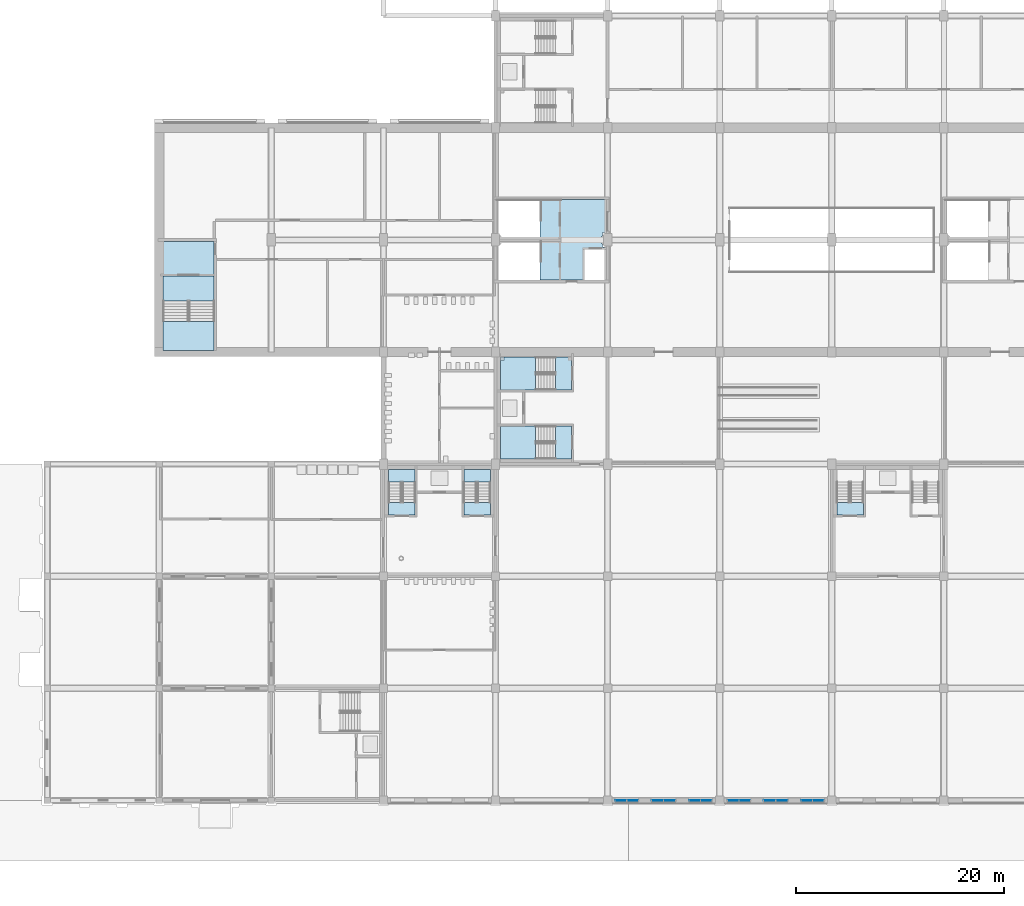
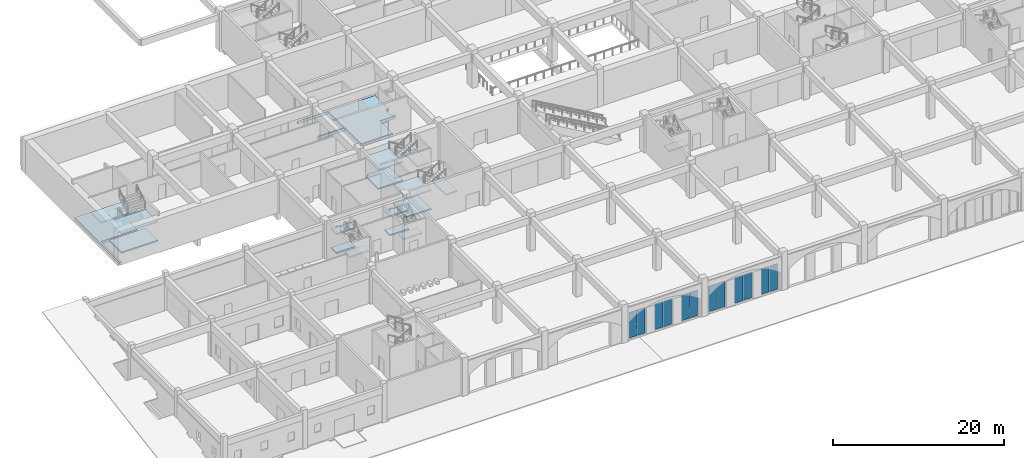
# One storey, part 21 of 101: 18 slabs, 12 plates, 12 elements without a shape of their own.
"""IFC4 building model written with IfcOpenShell, lengths in metres."""

import ifcopenshell
import ifcopenshell.guid

model = None  # the IFC model being written
_history = None  # IfcOwnerHistory: only IFC2X3 demands one
_inside = {}  # id of a spatial element -> (the spatial element, [elements in it])
_under = {}  # id of a project, library or spatial element -> (it, [spatial elements below it])
_declared = {}  # id of a project -> (the project, [libraries it declares])
_typed = {}  # id of a type object -> (the type object, [elements of that type])
_made_of = {}  # id of a material, layer set ... -> (it, [elements and type objects made of it])


def new_model(schema):
    """Start an empty IFC model of exactly this schema.

    Asked for "IFC4X3", IfcOpenShell would pick the latest addendum, in which some entities
    have other attributes; the version numbers below select the first issue.
    IFC2X3 requires an IfcOwnerHistory on every rooted entity: one is made here for all.
    """
    global model, _history
    if schema == "IFC4X3":
        model = ifcopenshell.file(schema_version=(4, 3, 0, 0))
    else:
        model = ifcopenshell.file(schema=schema)
    _inside.clear()
    _under.clear()
    _declared.clear()
    _typed.clear()
    _made_of.clear()
    _history = None
    if model.schema == "IFC2X3":
        org = make("IfcOrganization", Name="unknown")
        user = make(
            "IfcPersonAndOrganization",
            ThePerson=make("IfcPerson", FamilyName="unknown"),
            TheOrganization=org,
        )
        app = make(
            "IfcApplication",
            ApplicationDeveloper=org,
            Version="unknown",
            ApplicationFullName="unknown",
            ApplicationIdentifier="unknown",
        )
        _history = make(
            "IfcOwnerHistory",
            OwningUser=user,
            OwningApplication=app,
            ChangeAction="ADDED",
            CreationDate=0,
        )
    return model


def make(cls, **values):
    """One entity of the class cls with the attributes given. An attribute that is None is left unset."""
    return model.create_entity(
        cls, **{name: value for name, value in values.items() if value is not None}
    )


def rooted(cls, **values):
    """An entity with a GlobalId (a new one), such as an element, a storey or a relation."""
    return make(cls, GlobalId=ifcopenshell.guid.new(), OwnerHistory=_history, **values)


def si_unit(unit_type, name, prefix=None):
    """IfcSIUnit, for example si_unit("LENGTHUNIT", "METRE", prefix="MILLI")."""
    return make("IfcSIUnit", UnitType=unit_type, Prefix=prefix, Name=name)


def assignment(units):
    """IfcUnitAssignment: the units of a project."""
    return None if units is None else make("IfcUnitAssignment", Units=units)


def point(xyz):
    """IfcCartesianPoint."""
    return None if xyz is None else make("IfcCartesianPoint", Coordinates=xyz)


def direction(xyz):
    """IfcDirection."""
    return None if xyz is None else make("IfcDirection", DirectionRatios=xyz)


def frame(location, z_axis=None, x_axis=None):
    """IfcAxis2Placement3D, a coordinate frame: its origin and axes. An axis left out is left unset."""
    return make(
        "IfcAxis2Placement3D",
        Location=point(location),
        Axis=direction(z_axis),
        RefDirection=direction(x_axis),
    )


def frame_2d(location, x_axis=None):
    """IfcAxis2Placement2D, a coordinate frame in the plane: its origin and x axis."""
    return make(
        "IfcAxis2Placement2D", Location=point(location), RefDirection=direction(x_axis)
    )


def origin():
    """The frame at (0, 0, 0) with its axes left unset."""
    return frame((0.0, 0.0, 0.0))


def origin_2d():
    """The frame at (0, 0) in the plane with its x axis left unset."""
    return frame_2d((0.0, 0.0))


def place(relative_to, where):
    """IfcLocalPlacement: puts the frame where relative to a parent placement (None: the world)."""
    return make(
        "IfcLocalPlacement", PlacementRelTo=relative_to, RelativePlacement=where
    )


def context(
    kind, dimensions, precision=None, world=None, true_north=None, identifier=None
):
    """IfcGeometricRepresentationContext, for example the 3D "Model" context."""
    return make(
        "IfcGeometricRepresentationContext",
        ContextIdentifier=identifier,
        ContextType=kind,
        CoordinateSpaceDimension=dimensions,
        Precision=precision,
        WorldCoordinateSystem=world,
        TrueNorth=true_north,
    )


def subcontext(parent, identifier, kind, view, scale=None):
    """IfcGeometricRepresentationSubContext, for example "Body" below "Model"."""
    return make(
        "IfcGeometricRepresentationSubContext",
        ContextIdentifier=identifier,
        ContextType=kind,
        ParentContext=parent,
        TargetScale=scale,
        TargetView=view,
    )


def project(units=None, contexts=None):
    """IfcProject with its units and contexts."""
    return rooted(
        "IfcProject",
        Name="project",
        RepresentationContexts=contexts,
        UnitsInContext=assignment(units),
    )


def spatial(cls, under=None, at=None, **own):
    """A site, building, storey or space (cls), placed at a placement, below another one or the project."""
    s = rooted(cls, ObjectPlacement=at, **own)
    if under is not None:
        _under.setdefault(under.id(), (under, []))[1].append(s)
    return s


def polyline(points):
    """IfcPolyline through the points."""
    return make("IfcPolyline", Points=[point(p) for p in points])


def profile(cls, at=None, kind="AREA", **sizes):
    """A parametric profile (cls). Its sizes go by their IFC names, for example OverallWidth=200.0."""
    return make(cls, ProfileType=kind, Position=at, **sizes)


def rectangle(**sizes):
    """IfcRectangleProfileDef."""
    return profile("IfcRectangleProfileDef", **sizes)


def outline(outer, holes=None, kind="AREA"):
    """IfcArbitraryClosedProfileDef: a profile drawn as a closed curve; with holes, ...WithVoids."""
    if holes is None:
        return make("IfcArbitraryClosedProfileDef", ProfileType=kind, OuterCurve=outer)
    return make(
        "IfcArbitraryProfileDefWithVoids",
        ProfileType=kind,
        OuterCurve=outer,
        InnerCurves=holes,
    )


def extrude(swept, where, along, depth):
    """IfcExtrudedAreaSolid: the profile swept, set in the frame where, extruded along a direction by depth."""
    return make(
        "IfcExtrudedAreaSolid",
        SweptArea=swept,
        Position=where,
        ExtrudedDirection=direction(along),
        Depth=depth,
    )


def shape(context_of_items, identifier, shape_type, items):
    """IfcShapeRepresentation: the items that make up one representation, for example the "Body"."""
    return make(
        "IfcShapeRepresentation",
        ContextOfItems=context_of_items,
        RepresentationIdentifier=identifier,
        RepresentationType=shape_type,
        Items=items,
    )


def material(Name=None, Category=None):
    """IfcMaterial."""
    return make("IfcMaterial", Name=Name, Category=Category)


def layer(
    of_material, thickness, ventilated=None, Name=None, Category=None, Priority=None
):
    """IfcMaterialLayer: one layer of a wall or slab, of a material (None: an air gap)."""
    return make(
        "IfcMaterialLayer",
        Material=of_material,
        LayerThickness=thickness,
        IsVentilated=ventilated,
        Name=Name,
        Category=Category,
        Priority=Priority,
    )


def layer_set(layers, Name=None):
    """IfcMaterialLayerSet."""
    return make("IfcMaterialLayerSet", MaterialLayers=layers, LayerSetName=Name)


def made_of(thing, what):
    """Note that an element or type object is made of a material, layer set ...; save() writes the relation."""
    if what is not None:
        _made_of.setdefault(what.id(), (what, []))[1].append(thing)
    return thing


def type_object(cls, material=None, **own):
    """A type object (cls), such as IfcWallType, which elements share."""
    return made_of(rooted(cls, **own), material)


def element(
    cls,
    number,
    at=None,
    inside=None,
    cuts=None,
    type_object=None,
    material=None,
    context=None,
    identifier="Body",
    shape_type=None,
    held_by="IfcProductDefinitionShape",
    body=None,
    shapes=None,
    **own,
):
    """One element of the class cls, such as IfcWall. Its Tag is "e" and its number.

    at: its placement. inside: the storey or other place that contains it. cuts: it is an
    opening in that element (IfcRelVoidsElement). A single representation is given by context,
    identifier, shape_type and body (its items); several are given by shapes. held_by: the class
    of the entity that holds the representations. save() writes the other relations.
    """
    e = rooted(cls, Tag="e%d" % number, ObjectPlacement=at, **own)
    if body is not None:
        shapes = [shape(context, identifier, shape_type, body)]
    if shapes is not None:
        e.Representation = make(held_by, Representations=shapes)
    if inside is not None:
        _inside.setdefault(inside.id(), (inside, []))[1].append(e)
    if cuts is not None:
        rooted(
            "IfcRelVoidsElement", RelatingBuildingElement=cuts, RelatedOpeningElement=e
        )
    if type_object is not None:
        _typed.setdefault(type_object.id(), (type_object, []))[1].append(e)
    return made_of(e, material)


def aggregate(whole, parts):
    """IfcRelAggregates: a whole, such as a stair, and the parts it consists of."""
    return rooted("IfcRelAggregates", RelatingObject=whole, RelatedObjects=parts)


def save(model, path):
    """Write the relations noted so far, then the file.

    IfcRelAggregates (storeys below a building ...), IfcRelContainedInSpatialStructure (elements
    in a storey), IfcRelDefinesByType, IfcRelAssociatesMaterial and IfcRelDeclares: one each for
    every whole, place, type object, material and project.
    """
    for whole, parts in _under.values():
        aggregate(whole, parts)
    for where, things in _inside.values():
        rooted(
            "IfcRelContainedInSpatialStructure",
            RelatedElements=things,
            RelatingStructure=where,
        )
    for kind, things in _typed.values():
        rooted("IfcRelDefinesByType", RelatedObjects=things, RelatingType=kind)
    for what, things in _made_of.values():
        rooted("IfcRelAssociatesMaterial", RelatedObjects=things, RelatingMaterial=what)
    for by, libraries in _declared.values():
        rooted("IfcRelDeclares", RelatingContext=by, RelatedDefinitions=libraries)
    model.write(path)


model = new_model("IFC4")

# Units and contexts
model_context = context("Model", 3, precision=1e-05, world=origin(), true_north=direction((0.0, 1.0)))
body_context = subcontext(model_context, "Body", "Model", "MODEL_VIEW")
ifc_project = project(units=[si_unit("LENGTHUNIT", "METRE"), si_unit("AREAUNIT", "SQUARE_METRE"), si_unit("VOLUMEUNIT", "CUBIC_METRE"), si_unit("PLANEANGLEUNIT", "RADIAN"), si_unit("MASSUNIT", "GRAM", prefix="KILO")], contexts=[model_context])

# Site, building, storey
site_placement = place(None, origin())
site = spatial("IfcSite", under=ifc_project, at=site_placement, CompositionType="ELEMENT")
building_placement = place(site_placement, origin())
building = spatial("IfcBuilding", under=site, at=building_placement, Name="Magnolia Steps Interchange", CompositionType="ELEMENT")
storey_placement = place(building_placement, frame((0.0, 0.0, -5.39990234375)))
storey = spatial("IfcBuildingStorey", under=building, at=storey_placement, Name="B1", CompositionType="ELEMENT", Elevation=-5.39990234375)

# Slabs
ifc_material_1 = material(Name="Concrete C35", Category="concrete")
ifc_layer_1 = layer(ifc_material_1, 0.39990234375)
ifc_layer_set_1 = layer_set([ifc_layer_1], Name="Core floor slab 400")
slab_type_1 = type_object("IfcSlabType", Name="Core floor slab 400", PredefinedType="FLOOR", material=ifc_layer_set_1)
slab_1_placement = place(storey_placement, frame((0.0, 0.0, -0.400146484375)))
element("IfcSlab", 1, at=slab_1_placement, inside=storey, type_object=slab_type_1, Name="B1 core floor PC1", PredefinedType="FLOOR", context=body_context, shape_type="SweptSolid", body=[
    extrude(outline(polyline([(57.47509765625, 63.875), (53.837646484375, 63.875), (53.846923828125, 63.936279296875), (53.85009765625, 64.0), (53.846923828125, 64.063720703125), (53.84521484375, 64.074951171875), (57.47509765625, 64.074951171875), (57.47509765625, 67.824951171875), (53.324951171875, 67.824951171875), (53.324951171875, 67.875), (63.875, 67.875), (63.875, 64.699951171875), (63.5, 64.699951171875), (63.5, 64.4150390625), (63.49755859375, 64.412353515625), (63.45947265625, 64.361083984375), (63.4267578125, 64.306396484375), (63.3994140625, 64.248779296875), (63.3779296875, 64.188720703125), (63.362548828125, 64.126708984375), (63.35302734375, 64.063720703125), (63.35009765625, 64.0), (63.35302734375, 63.936279296875), (63.362548828125, 63.873291015625), (63.3779296875, 63.811279296875), (63.3994140625, 63.751220703125), (63.4267578125, 63.693603515625), (63.45947265625, 63.638916015625), (63.49755859375, 63.587646484375), (63.5, 63.5849609375), (63.5, 63.300048828125), (63.875, 63.300048828125), (63.875, 63.074951171875), (61.77490234375, 63.074951171875), (61.77490234375, 60.125), (57.47509765625, 60.125), (57.47509765625, 63.875)])), origin(), (0.0, 0.0, 1.0), 0.400146484375),
])
slab_2_placement = place(storey_placement, frame((0.0, 0.0, -0.400146484375)))
element("IfcSlab", 2, at=slab_2_placement, inside=storey, type_object=slab_type_1, Name="B1 core floor BE-W", PredefinedType="FLOOR", context=body_context, shape_type="SweptSolid", body=[
    extrude(outline(polyline([(20.925048828125, 63.875), (26.074951171875, 63.875), (26.074951171875, 58.074951171875), (21.175048828125, 58.074951171875), (21.175048828125, 53.324951171875), (20.925048828125, 53.324951171875), (20.925048828125, 63.875)])), origin(), (0.0, 0.0, 1.0), 0.400146484375),
])

# Stair, slabs
ifc_material_2 = material(Name="Concrete C40", Category="concrete")
stair_type_1 = type_object("IfcStairType", Name="Exit stair 1500", PredefinedType="HALF_TURN_STAIR", material=ifc_material_2)
stair_1_placement = place(storey_placement, origin())
stair_1 = element("IfcStair", 3, at=stair_1_placement, inside=storey, type_object=stair_type_1, Name="B1 Stair 5", PredefinedType="HALF_TURN_STAIR")
ifc_material_3 = material(Name="Concrete C40", Category="concrete")
ifc_layer_2 = layer(ifc_material_3, 0.199951171875)
ifc_layer_set_2 = layer_set([ifc_layer_2], Name="Exit stair landing 200")
slab_type_2 = type_object("IfcSlabType", Name="Exit stair landing 200", PredefinedType="LANDING", material=ifc_layer_set_2)
slab_3_placement = place(storey_placement, frame((0.0, 0.0, 1.14990234375)))
slab_3 = element("IfcSlab", 4, at=slab_3_placement, type_object=slab_type_2, Name="Stair 5 landing 1", PredefinedType="LANDING", context=body_context, shape_type="SweptSolid", body=[
    extrude(outline(polyline([(57.0400390625, 46.050048828125), (53.699951171875, 46.050048828125), (53.699951171875, 42.89990234375), (57.0400390625, 42.89990234375), (57.0400390625, 46.050048828125)])), origin(), (0.0, 0.0, 1.0), 0.199951171875),
])
slab_4_placement = place(storey_placement, frame((0.0, 0.0, 2.5)))
slab_4 = element("IfcSlab", 5, at=slab_4_placement, type_object=slab_type_2, Name="Stair 5 landing 2", PredefinedType="LANDING", context=body_context, shape_type="SweptSolid", body=[
    extrude(outline(polyline([(60.5, 46.050048828125), (59.0, 46.050048828125), (59.0, 42.89990234375), (60.5, 42.89990234375), (60.5, 46.050048828125)])), origin(), (0.0, 0.0, 1.0), 0.199951171875),
])
slab_5_placement = place(storey_placement, frame((0.0, 0.0, 3.849853515625)))
slab_5 = element("IfcSlab", 6, at=slab_5_placement, type_object=slab_type_2, Name="Stair 5 landing 3", PredefinedType="LANDING", context=body_context, shape_type="SweptSolid", body=[
    extrude(outline(polyline([(57.0400390625, 46.050048828125), (53.699951171875, 46.050048828125), (53.699951171875, 42.89990234375), (57.0400390625, 42.89990234375), (57.0400390625, 46.050048828125)])), origin(), (0.0, 0.0, 1.0), 0.199951171875),
])
aggregate(stair_1, [slab_3, slab_4, slab_5])

stair_2_placement = place(storey_placement, origin())
stair_2 = element("IfcStair", 7, at=stair_2_placement, inside=storey, type_object=stair_type_1, Name="B1 Stair 6", PredefinedType="HALF_TURN_STAIR")
slab_6_placement = place(storey_placement, frame((0.0, 0.0, 1.14990234375)))
slab_6 = element("IfcSlab", 8, at=slab_6_placement, type_object=slab_type_2, Name="Stair 6 landing 1", PredefinedType="LANDING", context=body_context, shape_type="SweptSolid", body=[
    extrude(outline(polyline([(57.0400390625, 52.699951171875), (57.0400390625, 49.550048828125), (53.699951171875, 49.550048828125), (53.699951171875, 52.39990234375), (54.0, 52.39990234375), (54.0, 52.699951171875), (57.0400390625, 52.699951171875)])), origin(), (0.0, 0.0, 1.0), 0.199951171875),
])
slab_7_placement = place(storey_placement, frame((0.0, 0.0, 2.5)))
slab_7 = element("IfcSlab", 9, at=slab_7_placement, type_object=slab_type_2, Name="Stair 6 landing 2", PredefinedType="LANDING", context=body_context, shape_type="SweptSolid", body=[
    extrude(outline(polyline([(60.5, 52.699951171875), (59.0, 52.699951171875), (59.0, 49.550048828125), (60.5, 49.550048828125), (60.5, 52.699951171875)])), origin(), (0.0, 0.0, 1.0), 0.199951171875),
])
slab_8_placement = place(storey_placement, frame((0.0, 0.0, 3.849853515625)))
slab_8 = element("IfcSlab", 10, at=slab_8_placement, type_object=slab_type_2, Name="Stair 6 landing 3", PredefinedType="LANDING", context=body_context, shape_type="SweptSolid", body=[
    extrude(outline(polyline([(57.0400390625, 52.699951171875), (53.699951171875, 52.699951171875), (53.699951171875, 49.550048828125), (57.0400390625, 49.550048828125), (57.0400390625, 52.699951171875)])), origin(), (0.0, 0.0, 1.0), 0.199951171875),
])
aggregate(stair_2, [slab_6, slab_7, slab_8])

ifc_material_4 = material(Name="Concrete C40", Category="concrete")
stair_type_2 = type_object("IfcStairType", Name="Exit stair 2400", PredefinedType="HALF_TURN_STAIR", material=ifc_material_4)
stair_3_placement = place(storey_placement, origin())
stair_3 = element("IfcStair", 11, at=stair_3_placement, inside=storey, type_object=stair_type_2, Name="B1 Stair 15", PredefinedType="HALF_TURN_STAIR")
slab_9_placement = place(storey_placement, frame((0.0, 0.0, 1.14990234375)))
slab_9 = element("IfcSlab", 12, at=slab_9_placement, type_object=slab_type_2, Name="Stair 15 landing 1", PredefinedType="LANDING", context=body_context, shape_type="SweptSolid", body=[
    extrude(outline(polyline([(21.175048828125, 56.1650390625), (21.175048828125, 53.324951171875), (26.074951171875, 53.324951171875), (26.074951171875, 56.1650390625), (21.175048828125, 56.1650390625)])), origin(), (0.0, 0.0, 1.0), 0.199951171875),
])
slab_10_placement = place(storey_placement, frame((0.0, 0.0, 2.5)))
slab_10 = element("IfcSlab", 13, at=slab_10_placement, type_object=slab_type_2, Name="Stair 15 landing 2", PredefinedType="LANDING", context=body_context, shape_type="SweptSolid", body=[
    extrude(outline(polyline([(21.175048828125, 60.52490234375), (21.175048828125, 58.125), (26.074951171875, 58.125), (26.074951171875, 60.52490234375), (21.175048828125, 60.52490234375)])), origin(), (0.0, 0.0, 1.0), 0.199951171875),
])
slab_11_placement = place(storey_placement, frame((0.0, 0.0, 3.849853515625)))
slab_11 = element("IfcSlab", 14, at=slab_11_placement, type_object=slab_type_2, Name="Stair 15 landing 3", PredefinedType="LANDING", context=body_context, shape_type="SweptSolid", body=[
    extrude(outline(polyline([(21.175048828125, 56.1650390625), (21.175048828125, 53.324951171875), (26.074951171875, 53.324951171875), (26.074951171875, 56.1650390625), (21.175048828125, 56.1650390625)])), origin(), (0.0, 0.0, 1.0), 0.199951171875),
])
aggregate(stair_3, [slab_9, slab_10, slab_11])

ifc_material_5 = material(Name="Concrete C40", Category="concrete")
stair_type_3 = type_object("IfcStairType", Name="Exit stair 1200", PredefinedType="HALF_TURN_STAIR", material=ifc_material_5)
stair_4_placement = place(storey_placement, origin())
stair_4 = element("IfcStair", 15, at=stair_4_placement, inside=storey, type_object=stair_type_3, Name="B1 Stair 17", PredefinedType="HALF_TURN_STAIR")
slab_12_placement = place(storey_placement, frame((0.0, 0.0, 1.14990234375)))
slab_12 = element("IfcSlab", 16, at=slab_12_placement, type_object=slab_type_2, Name="Stair 17 landing 1", PredefinedType="LANDING", context=body_context, shape_type="SweptSolid", body=[
    extrude(outline(polyline([(45.449951171875, 40.659912109375), (45.449951171875, 41.89990234375), (42.89990234375, 41.89990234375), (42.89990234375, 40.659912109375), (45.449951171875, 40.659912109375)])), origin(), (0.0, 0.0, 1.0), 0.199951171875),
])
slab_13_placement = place(storey_placement, frame((0.0, 0.0, 2.5)))
slab_13 = element("IfcSlab", 17, at=slab_13_placement, type_object=slab_type_2, Name="Stair 17 landing 2", PredefinedType="LANDING", context=body_context, shape_type="SweptSolid", body=[
    extrude(outline(polyline([(45.449951171875, 37.5), (45.449951171875, 38.699951171875), (42.89990234375, 38.699951171875), (42.89990234375, 37.5), (45.449951171875, 37.5)])), origin(), (0.0, 0.0, 1.0), 0.199951171875),
])
slab_14_placement = place(storey_placement, frame((0.0, 0.0, 3.849853515625)))
slab_14 = element("IfcSlab", 18, at=slab_14_placement, type_object=slab_type_2, Name="Stair 17 landing 3", PredefinedType="LANDING", context=body_context, shape_type="SweptSolid", body=[
    extrude(outline(polyline([(45.449951171875, 40.659912109375), (45.449951171875, 41.89990234375), (42.89990234375, 41.89990234375), (42.89990234375, 40.659912109375), (45.449951171875, 40.659912109375)])), origin(), (0.0, 0.0, 1.0), 0.199951171875),
])
aggregate(stair_4, [slab_12, slab_13, slab_14])

stair_5_placement = place(storey_placement, origin())
stair_5 = element("IfcStair", 19, at=stair_5_placement, inside=storey, type_object=stair_type_3, Name="B1 Stair 18", PredefinedType="HALF_TURN_STAIR")
slab_15_placement = place(storey_placement, frame((0.0, 0.0, 1.14990234375)))
slab_15 = element("IfcSlab", 20, at=slab_15_placement, type_object=slab_type_2, Name="Stair 18 landing 1", PredefinedType="LANDING", context=body_context, shape_type="SweptSolid", body=[
    extrude(outline(polyline([(52.699951171875, 40.659912109375), (52.699951171875, 41.89990234375), (50.14990234375, 41.89990234375), (50.14990234375, 40.659912109375), (52.699951171875, 40.659912109375)])), origin(), (0.0, 0.0, 1.0), 0.199951171875),
])
slab_16_placement = place(storey_placement, frame((0.0, 0.0, 2.5)))
slab_16 = element("IfcSlab", 21, at=slab_16_placement, type_object=slab_type_2, Name="Stair 18 landing 2", PredefinedType="LANDING", context=body_context, shape_type="SweptSolid", body=[
    extrude(outline(polyline([(52.699951171875, 37.5), (52.699951171875, 38.699951171875), (50.14990234375, 38.699951171875), (50.14990234375, 37.5), (52.699951171875, 37.5)])), origin(), (0.0, 0.0, 1.0), 0.199951171875),
])
slab_17_placement = place(storey_placement, frame((0.0, 0.0, 3.849853515625)))
slab_17 = element("IfcSlab", 22, at=slab_17_placement, type_object=slab_type_2, Name="Stair 18 landing 3", PredefinedType="LANDING", context=body_context, shape_type="SweptSolid", body=[
    extrude(outline(polyline([(52.699951171875, 40.659912109375), (52.699951171875, 41.89990234375), (50.14990234375, 41.89990234375), (50.14990234375, 40.659912109375), (52.699951171875, 40.659912109375)])), origin(), (0.0, 0.0, 1.0), 0.199951171875),
])
aggregate(stair_5, [slab_15, slab_16, slab_17])

# Stair, slab
stair_6_placement = place(storey_placement, origin())
stair_6 = element("IfcStair", 23, at=stair_6_placement, inside=storey, type_object=stair_type_3, Name="B1 Stair 19", PredefinedType="HALF_TURN_STAIR")
slab_18_placement = place(storey_placement, frame((0.0, 0.0, 2.5)))
slab_18 = element("IfcSlab", 24, at=slab_18_placement, type_object=slab_type_2, Name="Stair 19 landing 2", PredefinedType="LANDING", context=body_context, shape_type="SweptSolid", body=[
    extrude(outline(polyline([(88.64990234375, 37.5), (88.64990234375, 38.699951171875), (86.10009765625, 38.699951171875), (86.10009765625, 37.5), (88.64990234375, 37.5)])), origin(), (0.0, 0.0, 1.0), 0.199951171875),
])
aggregate(stair_6, [slab_18])

# Curtain wall, plates
ifc_material_6 = material(Name="Powder-coated aluminium and glass", Category="aluminium")
ifc_layer_3 = layer(ifc_material_6, 0.1201171875)
ifc_layer_set_3 = layer_set([ifc_layer_3], Name="Shopfront curtain wall")
curtain_wall_type = type_object("IfcCurtainWallType", Name="Shopfront curtain wall", PredefinedType="NOTDEFINED", material=ifc_layer_set_3)
curtain_wall_1_placement = place(storey_placement, origin())
curtain_wall_1 = element("IfcCurtainWall", 25, at=curtain_wall_1_placement, inside=storey, type_object=curtain_wall_type, Name="Street arcade shopfront 10", PredefinedType="NOTDEFINED")
ifc_material_7 = material(Name="Laminated glass", Category="glass")
ifc_layer_4 = layer(ifc_material_7, 0.028076171875)
ifc_layer_set_4 = layer_set([ifc_layer_4], Name="Glass panel 28")
plate_type = type_object("IfcPlateType", Name="Glass panel 28", PredefinedType="CURTAIN_PANEL", material=ifc_layer_set_4)
plate_1_placement = place(storey_placement, frame((65.2900390625, 10.0, 0.06005859375), z_axis=(0.0, 0.0, 1.0), x_axis=(1.0, 0.0, 0.0)))
plate_1 = element("IfcPlate", 26, at=plate_1_placement, type_object=plate_type, Name="CW3 panel 1.1", PredefinedType="CURTAIN_PANEL", context=body_context, shape_type="SweptSolid", body=[
    extrude(rectangle(XDim=1.06005859375, YDim=0.028076171875, at=origin_2d()), origin(), (0.0, 0.0, 1.0), 3.679931640625),
])
plate_2_placement = place(storey_placement, frame((66.409912109375, 10.0, 0.06005859375), z_axis=(0.0, 0.0, 1.0), x_axis=(1.0, 0.0, 0.0)))
plate_2 = element("IfcPlate", 27, at=plate_2_placement, type_object=plate_type, Name="CW3 panel 2.1", PredefinedType="CURTAIN_PANEL", context=body_context, shape_type="SweptSolid", body=[
    extrude(rectangle(XDim=1.06005859375, YDim=0.028076171875, at=origin_2d()), origin(), (0.0, 0.0, 1.0), 3.679931640625),
])
aggregate(curtain_wall_1, [plate_1, plate_2])

curtain_wall_2_placement = place(storey_placement, origin())
curtain_wall_2 = element("IfcCurtainWall", 28, at=curtain_wall_2_placement, inside=storey, type_object=curtain_wall_type, Name="Street arcade shopfront 12", PredefinedType="NOTDEFINED")
plate_3_placement = place(storey_placement, frame((68.81494140625, 10.0, 0.06005859375), z_axis=(0.0, 0.0, 1.0), x_axis=(1.0, 0.0, 0.0)))
plate_3 = element("IfcPlate", 29, at=plate_3_placement, type_object=plate_type, Name="CW3 panel 1.1", PredefinedType="CURTAIN_PANEL", context=body_context, shape_type="SweptSolid", body=[
    extrude(rectangle(XDim=1.110107421875, YDim=0.028076171875, at=origin_2d()), origin(), (0.0, 0.0, 1.0), 3.679931640625),
])
plate_4_placement = place(storey_placement, frame((69.985107421875, 10.0, 0.06005859375), z_axis=(0.0, 0.0, 1.0), x_axis=(1.0, 0.0, 0.0)))
plate_4 = element("IfcPlate", 30, at=plate_4_placement, type_object=plate_type, Name="CW3 panel 2.1", PredefinedType="CURTAIN_PANEL", context=body_context, shape_type="SweptSolid", body=[
    extrude(rectangle(XDim=1.110107421875, YDim=0.028076171875, at=origin_2d()), origin(), (0.0, 0.0, 1.0), 3.679931640625),
])
aggregate(curtain_wall_2, [plate_3, plate_4])

curtain_wall_3_placement = place(storey_placement, origin())
curtain_wall_3 = element("IfcCurtainWall", 31, at=curtain_wall_3_placement, inside=storey, type_object=curtain_wall_type, Name="Street arcade shopfront 14", PredefinedType="NOTDEFINED")
plate_5_placement = place(storey_placement, frame((72.389892578125, 10.0, 0.06005859375), z_axis=(0.0, 0.0, 1.0), x_axis=(1.0, 0.0, 0.0)))
plate_5 = element("IfcPlate", 32, at=plate_5_placement, type_object=plate_type, Name="CW3 panel 1.1", PredefinedType="CURTAIN_PANEL", context=body_context, shape_type="SweptSolid", body=[
    extrude(rectangle(XDim=1.06005859375, YDim=0.028076171875, at=origin_2d()), origin(), (0.0, 0.0, 1.0), 3.679931640625),
])
plate_6_placement = place(storey_placement, frame((73.510009765625, 10.0, 0.06005859375), z_axis=(0.0, 0.0, 1.0), x_axis=(1.0, 0.0, 0.0)))
plate_6 = element("IfcPlate", 33, at=plate_6_placement, type_object=plate_type, Name="CW3 panel 2.1", PredefinedType="CURTAIN_PANEL", context=body_context, shape_type="SweptSolid", body=[
    extrude(rectangle(XDim=1.06005859375, YDim=0.028076171875, at=origin_2d()), origin(), (0.0, 0.0, 1.0), 3.679931640625),
])
aggregate(curtain_wall_3, [plate_5, plate_6])

curtain_wall_4_placement = place(storey_placement, origin())
curtain_wall_4 = element("IfcCurtainWall", 34, at=curtain_wall_4_placement, inside=storey, type_object=curtain_wall_type, Name="Street arcade shopfront 16", PredefinedType="NOTDEFINED")
plate_7_placement = place(storey_placement, frame((76.090087890625, 10.0, 0.06005859375), z_axis=(0.0, 0.0, 1.0), x_axis=(1.0, 0.0, 0.0)))
plate_7 = element("IfcPlate", 35, at=plate_7_placement, type_object=plate_type, Name="CW3 panel 1.1", PredefinedType="CURTAIN_PANEL", context=body_context, shape_type="SweptSolid", body=[
    extrude(rectangle(XDim=1.06005859375, YDim=0.028076171875, at=origin_2d()), origin(), (0.0, 0.0, 1.0), 3.679931640625),
])
plate_8_placement = place(storey_placement, frame((77.2099609375, 10.0, 0.06005859375), z_axis=(0.0, 0.0, 1.0), x_axis=(1.0, 0.0, 0.0)))
plate_8 = element("IfcPlate", 36, at=plate_8_placement, type_object=plate_type, Name="CW3 panel 2.1", PredefinedType="CURTAIN_PANEL", context=body_context, shape_type="SweptSolid", body=[
    extrude(rectangle(XDim=1.06005859375, YDim=0.028076171875, at=origin_2d()), origin(), (0.0, 0.0, 1.0), 3.679931640625),
])
aggregate(curtain_wall_4, [plate_7, plate_8])

curtain_wall_5_placement = place(storey_placement, origin())
curtain_wall_5 = element("IfcCurtainWall", 37, at=curtain_wall_5_placement, inside=storey, type_object=curtain_wall_type, Name="Street arcade shopfront 18", PredefinedType="NOTDEFINED")
plate_9_placement = place(storey_placement, frame((79.614990234375, 10.0, 0.06005859375), z_axis=(0.0, 0.0, 1.0), x_axis=(1.0, 0.0, 0.0)))
plate_9 = element("IfcPlate", 38, at=plate_9_placement, type_object=plate_type, Name="CW3 panel 1.1", PredefinedType="CURTAIN_PANEL", context=body_context, shape_type="SweptSolid", body=[
    extrude(rectangle(XDim=1.110107421875, YDim=0.028076171875, at=origin_2d()), origin(), (0.0, 0.0, 1.0), 3.679931640625),
])
plate_10_placement = place(storey_placement, frame((80.784912109375, 10.0, 0.06005859375), z_axis=(0.0, 0.0, 1.0), x_axis=(1.0, 0.0, 0.0)))
plate_10 = element("IfcPlate", 39, at=plate_10_placement, type_object=plate_type, Name="CW3 panel 2.1", PredefinedType="CURTAIN_PANEL", context=body_context, shape_type="SweptSolid", body=[
    extrude(rectangle(XDim=1.110107421875, YDim=0.028076171875, at=origin_2d()), origin(), (0.0, 0.0, 1.0), 3.679931640625),
])
aggregate(curtain_wall_5, [plate_9, plate_10])

curtain_wall_6_placement = place(storey_placement, origin())
curtain_wall_6 = element("IfcCurtainWall", 40, at=curtain_wall_6_placement, inside=storey, type_object=curtain_wall_type, Name="Street arcade shopfront 20", PredefinedType="NOTDEFINED")
plate_11_placement = place(storey_placement, frame((83.18994140625, 10.0, 0.06005859375), z_axis=(0.0, 0.0, 1.0), x_axis=(1.0, 0.0, 0.0)))
plate_11 = element("IfcPlate", 41, at=plate_11_placement, type_object=plate_type, Name="CW3 panel 1.1", PredefinedType="CURTAIN_PANEL", context=body_context, shape_type="SweptSolid", body=[
    extrude(rectangle(XDim=1.06005859375, YDim=0.028076171875, at=origin_2d()), origin(), (0.0, 0.0, 1.0), 3.679931640625),
])
plate_12_placement = place(storey_placement, frame((84.31005859375, 10.0, 0.06005859375), z_axis=(0.0, 0.0, 1.0), x_axis=(1.0, 0.0, 0.0)))
plate_12 = element("IfcPlate", 42, at=plate_12_placement, type_object=plate_type, Name="CW3 panel 2.1", PredefinedType="CURTAIN_PANEL", context=body_context, shape_type="SweptSolid", body=[
    extrude(rectangle(XDim=1.06005859375, YDim=0.028076171875, at=origin_2d()), origin(), (0.0, 0.0, 1.0), 3.679931640625),
])
aggregate(curtain_wall_6, [plate_11, plate_12])

save(model, "model.ifc")
